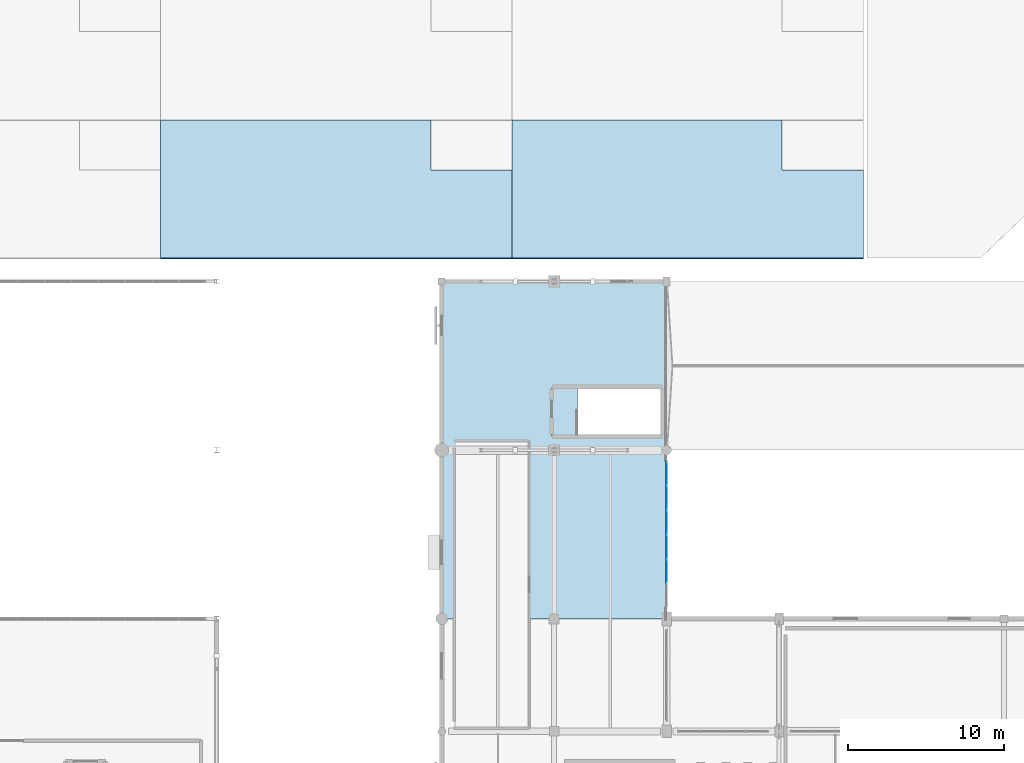
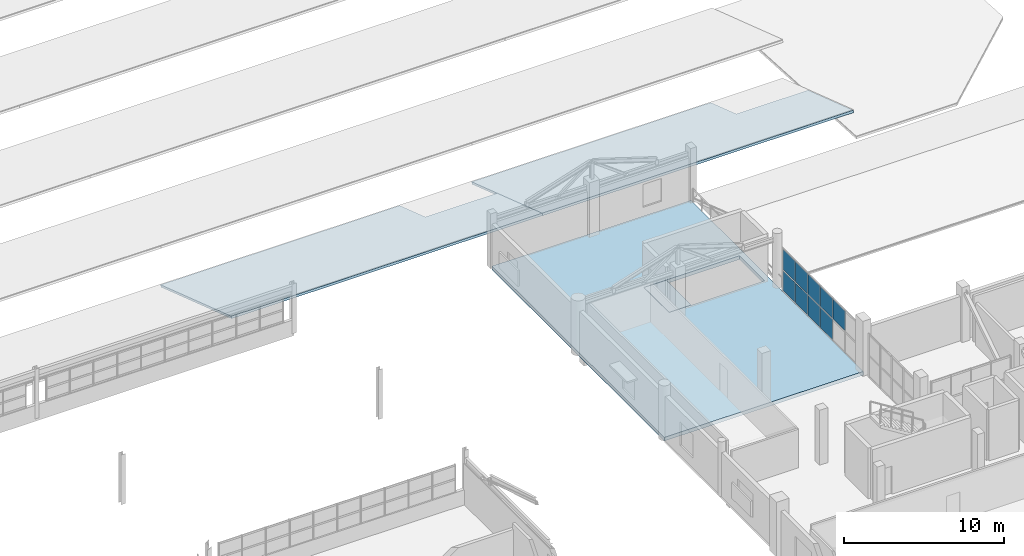
# One storey, part 48 of 90: 9 plates, 4 slabs, 1 element without a shape of its own.
"""IFC4 building model written with IfcOpenShell, lengths in metres."""

from ifc_helpers import new_model, si_unit, direction, frame, origin, origin_2d, place, context, subcontext, project, spatial, polyline, rectangle, outline, extrude, material, layer, layer_set, type_object, element, aggregate, save


model = new_model("IFC4")

# Units and contexts
model_context = context("Model", 3, precision=1e-05, world=origin(), true_north=direction((0.0, 1.0)))
body_context = subcontext(model_context, "Body", "Model", "MODEL_VIEW")
ifc_project = project(units=[si_unit("LENGTHUNIT", "METRE"), si_unit("AREAUNIT", "SQUARE_METRE"), si_unit("VOLUMEUNIT", "CUBIC_METRE"), si_unit("PLANEANGLEUNIT", "RADIAN"), si_unit("MASSUNIT", "GRAM", prefix="KILO")], contexts=[model_context])

# Site, building, storey
site_placement = place(None, origin())
site = spatial("IfcSite", under=ifc_project, at=site_placement, CompositionType="ELEMENT")
building_placement = place(site_placement, origin())
building = spatial("IfcBuilding", under=site, at=building_placement, Name="Solanera Park Tramway Depot", CompositionType="ELEMENT")
storey_placement = place(building_placement, frame((0.0, 0.0, 9.0)))
storey = spatial("IfcBuildingStorey", under=building, at=storey_placement, Name="L02", CompositionType="ELEMENT", Elevation=9.0)

# Curtain wall, plates
ifc_material_1 = material(Name="Bronze-anodised thermally broken aluminium curtain wall", Category="aluminium")
curtain_wall_type = type_object("IfcCurtainWallType", Name="Courtyard Cloister Unitised Curtain Wall", PredefinedType="NOTDEFINED", material=ifc_material_1)
curtain_wall_placement = place(storey_placement, origin())
curtain_wall = element("IfcCurtainWall", 1, at=curtain_wall_placement, inside=storey, type_object=curtain_wall_type, Name="L02 Courtyard Cloister Unitised Curtain Wall #112", PredefinedType="NOTDEFINED")
ifc_material_2 = material(Name="Low-E laminated solar-control double glazing", Category="glass")
ifc_layer_1 = layer(ifc_material_2, 0.028076171875)
ifc_layer_set_1 = layer_set([ifc_layer_1], Name="Low-E laminated solar-control double glazing")
plate_type = type_object("IfcPlateType", Name="Curtain Wall Double Glazing Panel 28", PredefinedType="CURTAIN_PANEL", material=ifc_layer_set_1)
plate_1_placement = place(storey_placement, frame((122.39990234375, 37.0166015625, 0.11181640625), z_axis=(0.0, 0.0, 1.0), x_axis=(0.0, 1.0, 0.0)))
plate_1 = element("IfcPlate", 2, at=plate_1_placement, type_object=plate_type, Name="CW-L02-112 Glazing Panel R1.C3", PredefinedType="CURTAIN_PANEL", context=body_context, shape_type="SweptSolid", body=[
    extrude(rectangle(XDim=1.5146484375, YDim=0.028076171875, at=origin_2d()), origin(), (0.0, 0.0, 1.0), 1.510986328125),
])
plate_2_placement = place(storey_placement, frame((122.39990234375, 38.583251953125, 0.11181640625), z_axis=(0.0, 0.0, 1.0), x_axis=(0.0, 1.0, 0.0)))
plate_2 = element("IfcPlate", 3, at=plate_2_placement, type_object=plate_type, Name="CW-L02-112 Glazing Panel R1.C4", PredefinedType="CURTAIN_PANEL", context=body_context, shape_type="SweptSolid", body=[
    extrude(rectangle(XDim=1.5146484375, YDim=0.028076171875, at=origin_2d()), origin(), (0.0, 0.0, 1.0), 1.510986328125),
])
plate_3_placement = place(storey_placement, frame((122.39990234375, 40.14990234375, 0.11181640625), z_axis=(0.0, 0.0, 1.0), x_axis=(0.0, 1.0, 0.0)))
plate_3 = element("IfcPlate", 4, at=plate_3_placement, type_object=plate_type, Name="CW-L02-112 Glazing Panel R1.C5", PredefinedType="CURTAIN_PANEL", context=body_context, shape_type="SweptSolid", body=[
    extrude(rectangle(XDim=1.5146484375, YDim=0.028076171875, at=origin_2d()), origin(), (0.0, 0.0, 1.0), 1.510986328125),
])
plate_4_placement = place(storey_placement, frame((122.39990234375, 41.700439453125, 0.11181640625), z_axis=(0.0, 0.0, 1.0), x_axis=(0.0, 1.0, 0.0)))
plate_4 = element("IfcPlate", 5, at=plate_4_placement, type_object=plate_type, Name="CW-L02-112 Glazing Panel R1.C6", PredefinedType="CURTAIN_PANEL", context=body_context, shape_type="SweptSolid", body=[
    extrude(rectangle(XDim=1.482177734375, YDim=0.028076171875, at=origin_2d()), origin(), (0.0, 0.0, 1.0), 1.510986328125),
])
plate_5_placement = place(storey_placement, frame((122.39990234375, 35.449951171875, 1.72705078125), z_axis=(0.0, 0.0, 1.0), x_axis=(0.0, 1.0, 0.0)))
plate_5 = element("IfcPlate", 6, at=plate_5_placement, type_object=plate_type, Name="CW-L02-112 Glazing Panel R2.C2", PredefinedType="CURTAIN_PANEL", context=body_context, shape_type="SweptSolid", body=[
    extrude(rectangle(XDim=1.5146484375, YDim=0.028076171875, at=origin_2d()), origin(), (0.0, 0.0, 1.0), 1.510986328125),
])
plate_6_placement = place(storey_placement, frame((122.39990234375, 37.0166015625, 1.72705078125), z_axis=(0.0, 0.0, 1.0), x_axis=(0.0, 1.0, 0.0)))
plate_6 = element("IfcPlate", 7, at=plate_6_placement, type_object=plate_type, Name="CW-L02-112 Glazing Panel R2.C3", PredefinedType="CURTAIN_PANEL", context=body_context, shape_type="SweptSolid", body=[
    extrude(rectangle(XDim=1.5146484375, YDim=0.028076171875, at=origin_2d()), origin(), (0.0, 0.0, 1.0), 1.510986328125),
])
plate_7_placement = place(storey_placement, frame((122.39990234375, 38.583251953125, 1.72705078125), z_axis=(0.0, 0.0, 1.0), x_axis=(0.0, 1.0, 0.0)))
plate_7 = element("IfcPlate", 8, at=plate_7_placement, type_object=plate_type, Name="CW-L02-112 Glazing Panel R2.C4", PredefinedType="CURTAIN_PANEL", context=body_context, shape_type="SweptSolid", body=[
    extrude(rectangle(XDim=1.5146484375, YDim=0.028076171875, at=origin_2d()), origin(), (0.0, 0.0, 1.0), 1.510986328125),
])
plate_8_placement = place(storey_placement, frame((122.39990234375, 40.14990234375, 1.72705078125), z_axis=(0.0, 0.0, 1.0), x_axis=(0.0, 1.0, 0.0)))
plate_8 = element("IfcPlate", 9, at=plate_8_placement, type_object=plate_type, Name="CW-L02-112 Glazing Panel R2.C5", PredefinedType="CURTAIN_PANEL", context=body_context, shape_type="SweptSolid", body=[
    extrude(rectangle(XDim=1.5146484375, YDim=0.028076171875, at=origin_2d()), origin(), (0.0, 0.0, 1.0), 1.510986328125),
])
plate_9_placement = place(storey_placement, frame((122.39990234375, 41.700439453125, 1.72705078125), z_axis=(0.0, 0.0, 1.0), x_axis=(0.0, 1.0, 0.0)))
plate_9 = element("IfcPlate", 10, at=plate_9_placement, type_object=plate_type, Name="CW-L02-112 Glazing Panel R2.C6", PredefinedType="CURTAIN_PANEL", context=body_context, shape_type="SweptSolid", body=[
    extrude(rectangle(XDim=1.482177734375, YDim=0.028076171875, at=origin_2d()), origin(), (0.0, 0.0, 1.0), 1.510986328125),
])
aggregate(curtain_wall, [plate_1, plate_2, plate_3, plate_4, plate_5, plate_6, plate_7, plate_8, plate_9])

# Slabs
ifc_material_3 = material(Name="Concrete N40 (C40/50)", Category="concrete")
ifc_layer_2 = layer(ifc_material_3, 0.27490234375)
ifc_layer_set_2 = layer_set([ifc_layer_2], Name="Concrete N40 (C40/50)")
slab_type_1 = type_object("IfcSlabType", Name="Slab Floor 275", PredefinedType="FLOOR", material=ifc_layer_set_2)
slab_1_placement = place(storey_placement, frame((0.0, 0.0, -0.27490234375)))
element("IfcSlab", 11, at=slab_1_placement, inside=storey, type_object=slab_type_1, Name="L02 Structural Slab SL-L02-V4W", PredefinedType="FLOOR", context=body_context, shape_type="SweptSolid", body=[
    extrude(outline(polyline([(108.0, 32.39990234375), (108.0, 54.0), (122.39990234375, 54.0), (122.39990234375, 32.39990234375), (108.0, 32.39990234375)]), holes=[polyline([(122.0, 47.22509765625), (115.074951171875, 47.22509765625), (115.074951171875, 44.074951171875), (122.0, 44.074951171875), (122.0, 47.22509765625)])]), origin(), (0.0, 0.0, 1.0), 0.27490234375),
])
ifc_material_4 = material(Name="Concrete N40 (C40/50)", Category="concrete")
ifc_layer_3 = layer(ifc_material_4, 0.159912109375)
ifc_layer_set_3 = layer_set([ifc_layer_3], Name="Concrete N40 (C40/50)")
slab_type_2 = type_object("IfcSlabType", Name="Slab Roof 160", PredefinedType="ROOF", material=ifc_layer_set_3)
for number, where, z_axis, x_axis, name in (
    (12, (90.0, 55.5, 1.561279296875), (4.751815e-06, 0.317307788189, 0.948322607308), (0.999999999989, -1.507788e-06, -4.506254e-06), "Sawtooth Sloped Roof Slab Bay 01.4"),
    (13, (112.5, 55.5, 1.561279296875), (4.751815e-06, 0.317307788189, 0.948322607308), (0.999999999989, -1.507788e-06, -4.506254e-06), "Sawtooth Sloped Roof Slab Bay 01.5"),
):
    element("IfcSlab", number, at=place(storey_placement, frame(where, z_axis=z_axis, x_axis=x_axis)), inside=storey, type_object=slab_type_2, Name=name, PredefinedType="ROOF", context=body_context, shape_type="SweptSolid", body=[
        extrude(outline(polyline([(0.0, 0.0), (22.499999999745977, -4.7645603283054394e-21), (22.50000000052724, 5.957840158774404), (17.30004882871095, 5.957840158774404), (17.30004882769486, 9.332353681226088), (-2.3482714890144007e-10, 9.332353681226088), (0.0, 0.0)])), origin(), (0.0, 0.0, -1.0), 0.159912109375),
    ])
ifc_material_5 = material(Name="Concrete N40 (C40/50)", Category="concrete")
ifc_layer_4 = layer(ifc_material_5, 0.27490234375)
ifc_layer_set_4 = layer_set([ifc_layer_4], Name="Concrete N40 (C40/50)")
slab_type_3 = type_object("IfcSlabType", Name="Slab Stair Floor Landing 275", PredefinedType="LANDING", material=ifc_layer_set_4)
slab_2_placement = place(storey_placement, frame((0.0, 0.0, -0.27490234375)))
element("IfcSlab", 14, at=slab_2_placement, inside=storey, type_object=slab_type_3, Name="ST-07 L02 Floor Landing", PredefinedType="LANDING", context=body_context, shape_type="SweptSolid", body=[
    extrude(outline(polyline([(115.080078125, 44.080078125), (116.699951171875, 44.080078125), (116.699951171875, 47.219970703125), (115.080078125, 47.219970703125), (115.080078125, 44.080078125)])), origin(), (0.0, 0.0, 1.0), 0.27490234375),
])

save(model, "model.ifc")
